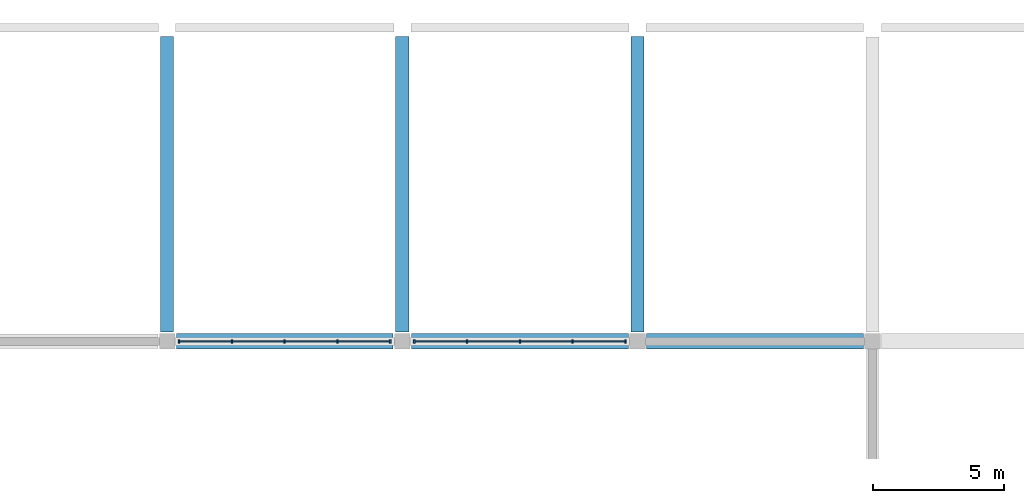
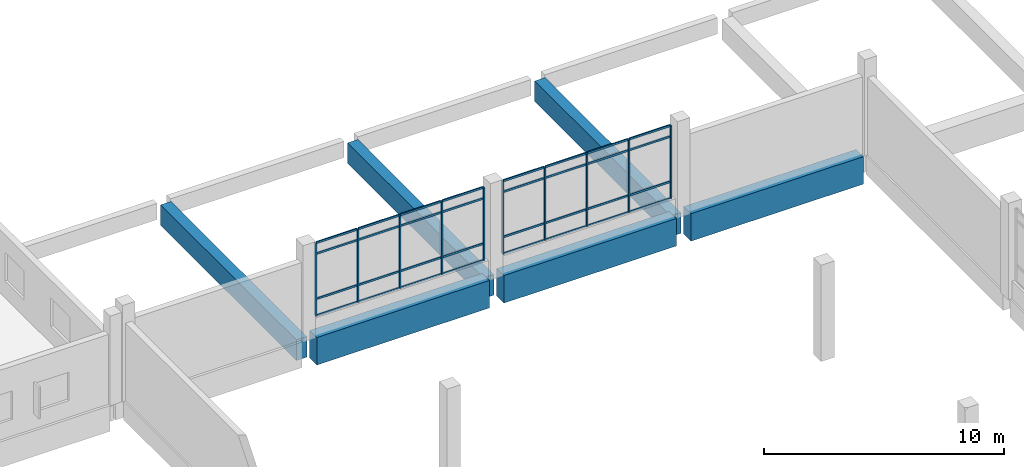
# One storey, part 26 of 63: 42 members, 6 beams, 2 elements without a shape of their own.
"""IFC4 building model written with IfcOpenShell, lengths in metres."""

from ifc_helpers import new_model, si_unit, direction, frame, origin, origin_2d, place, context, subcontext, project, spatial, rectangle, extrude, material, layer, layer_set, material_profile, profile_set, type_object, element, aggregate, save


model = new_model("IFC4")

# Units and contexts
model_context = context("Model", 3, precision=1e-05, world=origin(), true_north=direction((0.0, 1.0)))
body_context = subcontext(model_context, "Body", "Model", "MODEL_VIEW")
ifc_project = project(units=[si_unit("LENGTHUNIT", "METRE"), si_unit("AREAUNIT", "SQUARE_METRE"), si_unit("VOLUMEUNIT", "CUBIC_METRE"), si_unit("PLANEANGLEUNIT", "RADIAN"), si_unit("MASSUNIT", "GRAM", prefix="KILO")], contexts=[model_context])

# Site, building, storey
site_placement = place(None, origin())
site = spatial("IfcSite", under=ifc_project, at=site_placement, CompositionType="ELEMENT")
building_placement = place(site_placement, origin())
building = spatial("IfcBuilding", under=site, at=building_placement, Name="Zacnel Wholesale Market", CompositionType="ELEMENT")
storey_placement = place(building_placement, frame((0.0, 0.0, 11.199951171875)))
storey = spatial("IfcBuildingStorey", under=building, at=storey_placement, Name="L03", CompositionType="ELEMENT", Elevation=11.199951171875)

# Beams
ifc_material_1 = material(Name="Precast concrete C45/55", Category="concrete")
ifc_material_profile_1 = material_profile(ifc_material_1, rectangle(XDim=0.5, YDim=1.050048828125, at=origin_2d()), Name="PG 500x1050")
ifc_profile_set_1 = profile_set([ifc_material_profile_1], Name="Precast concrete C45/55")
beam_type_1 = type_object("IfcBeamType", Name="BM-PG1050", PredefinedType="T_BEAM", material=ifc_profile_set_1)
for number, where, z_axis, x_axis, name in (
    (1, (153.0, 132.35009765625, -0.824951171875), (0.0, 1.0, 0.0), (-1.0, 0.0, 0.0), "Precast girder Y-0939"),
    (2, (162.0, 132.35009765625, -0.824951171875), (0.0, 1.0, 0.0), (-1.0, 0.0, 0.0), "Precast girder Y-0946"),
    (3, (171.0, 132.35009765625, -0.824951171875), (0.0, 1.0, 0.0), (-1.0, 0.0, 0.0), "Precast girder Y-0953"),
):
    element("IfcBeam", number, at=place(storey_placement, frame(where, z_axis=z_axis, x_axis=x_axis)), inside=storey, type_object=beam_type_1, Name=name, PredefinedType="T_BEAM", context=body_context, shape_type="SweptSolid", body=[
        extrude(rectangle(XDim=0.5, YDim=1.050048828125, at=origin_2d()), origin(), (0.0, 0.0, 1.0), 11.324951171875),
    ])
ifc_material_2 = material(Name="Concrete C40/50", Category="concrete")
ifc_material_profile_2 = material_profile(ifc_material_2, rectangle(XDim=0.60009765625, YDim=1.39990234375, at=origin_2d()), Name="PTB 600x1400")
ifc_profile_set_2 = profile_set([ifc_material_profile_2], Name="Concrete C40/50")
beam_type_2 = type_object("IfcBeamType", Name="BM-PTB1400", PredefinedType="BEAM", material=ifc_profile_set_2)
for number, where, z_axis, x_axis, name in (
    (4, (153.35009765625, 132.0, -0.699951171875), (1.0, 0.0, 0.0), (0.0, 1.0, 0.0), "Precast girder X-0776"),
    (5, (162.35009765625, 132.0, -0.699951171875), (1.0, 0.0, 0.0), (0.0, 1.0, 0.0), "Precast girder X-0777"),
    (6, (171.35009765625, 132.0, -0.699951171875), (1.0, 0.0, 0.0), (0.0, 1.0, 0.0), "Precast girder X-0778"),
):
    element("IfcBeam", number, at=place(storey_placement, frame(where, z_axis=z_axis, x_axis=x_axis)), inside=storey, type_object=beam_type_2, Name=name, PredefinedType="BEAM", context=body_context, shape_type="SweptSolid", body=[
        extrude(rectangle(XDim=0.60009765625, YDim=1.39990234375, at=origin_2d()), origin(), (0.0, 0.0, 1.0), 8.2998046875),
    ])

# Curtain wall, members
ifc_material_3 = material(Name="Anodised aluminium", Category="aluminium")
ifc_layer = layer(ifc_material_3, 0.14990234375)
ifc_layer_set = layer_set([ifc_layer], Name="Anodised aluminium")
curtain_wall_type = type_object("IfcCurtainWallType", Name="CW-CLER-3600", PredefinedType="NOTDEFINED", material=ifc_layer_set)
curtain_wall_1_placement = place(storey_placement, origin())
curtain_wall_1 = element("IfcCurtainWall", 7, at=curtain_wall_1_placement, inside=storey, type_object=curtain_wall_type, Name="Curtain wall ENV-CW-XDRUM-N-2", PredefinedType="NOTDEFINED")
ifc_material_4 = material(Name="Anodised aluminium", Category="aluminium")
ifc_material_profile_3 = material_profile(ifc_material_4, rectangle(XDim=0.06005859375, YDim=0.1298828125, at=origin_2d()), Name="AW-MULLION 60x130")
ifc_profile_set_3 = profile_set([ifc_material_profile_3], Name="Anodised aluminium")
member_type_1 = type_object("IfcMemberType", Name="CWM-MUL-06", PredefinedType="MULLION", material=ifc_profile_set_3)
member_1_placement = place(storey_placement, frame((153.4599609375, 132.0, 0.900146484375), z_axis=(0.0, 0.0, 1.0), x_axis=(1.0, 0.0, 0.0)))
member_1 = element("IfcMember", 8, at=member_1_placement, type_object=member_type_1, Name="ENV-CW-XDRUM-N-2 mullion 01", PredefinedType="MULLION", context=body_context, shape_type="SweptSolid", body=[
    extrude(rectangle(XDim=0.06005859375, YDim=0.1298828125, at=origin_2d()), origin(), (0.0, 0.0, 1.0), 3.699951171875),
])
member_2_placement = place(storey_placement, frame((155.47998046875, 132.0, 0.900146484375), z_axis=(0.0, 0.0, 1.0), x_axis=(1.0, 0.0, 0.0)))
member_2 = element("IfcMember", 9, at=member_2_placement, type_object=member_type_1, Name="ENV-CW-XDRUM-N-2 mullion 02", PredefinedType="MULLION", context=body_context, shape_type="SweptSolid", body=[
    extrude(rectangle(XDim=0.06005859375, YDim=0.1298828125, at=origin_2d()), origin(), (0.0, 0.0, 1.0), 3.699951171875),
])
member_3_placement = place(storey_placement, frame((157.5, 132.0, 0.900146484375), z_axis=(0.0, 0.0, 1.0), x_axis=(1.0, 0.0, 0.0)))
member_3 = element("IfcMember", 10, at=member_3_placement, type_object=member_type_1, Name="ENV-CW-XDRUM-N-2 mullion 03", PredefinedType="MULLION", context=body_context, shape_type="SweptSolid", body=[
    extrude(rectangle(XDim=0.06005859375, YDim=0.1298828125, at=origin_2d()), origin(), (0.0, 0.0, 1.0), 3.699951171875),
])
member_4_placement = place(storey_placement, frame((159.52001953125, 132.0, 0.900146484375), z_axis=(0.0, 0.0, 1.0), x_axis=(1.0, 0.0, 0.0)))
member_4 = element("IfcMember", 11, at=member_4_placement, type_object=member_type_1, Name="ENV-CW-XDRUM-N-2 mullion 04", PredefinedType="MULLION", context=body_context, shape_type="SweptSolid", body=[
    extrude(rectangle(XDim=0.06005859375, YDim=0.1298828125, at=origin_2d()), origin(), (0.0, 0.0, 1.0), 3.699951171875),
])
member_5_placement = place(storey_placement, frame((161.5400390625, 132.0, 0.900146484375), z_axis=(0.0, 0.0, 1.0), x_axis=(1.0, 0.0, 0.0)))
member_5 = element("IfcMember", 12, at=member_5_placement, type_object=member_type_1, Name="ENV-CW-XDRUM-N-2 mullion 05", PredefinedType="MULLION", context=body_context, shape_type="SweptSolid", body=[
    extrude(rectangle(XDim=0.06005859375, YDim=0.1298828125, at=origin_2d()), origin(), (0.0, 0.0, 1.0), 3.699951171875),
])

curtain_wall_2_placement = place(storey_placement, origin())
curtain_wall_2 = element("IfcCurtainWall", 13, at=curtain_wall_2_placement, inside=storey, type_object=curtain_wall_type, Name="Curtain wall ENV-CW-XDRUM-N-3", PredefinedType="NOTDEFINED")
member_6_placement = place(storey_placement, frame((162.4599609375, 132.0, 0.900146484375), z_axis=(0.0, 0.0, 1.0), x_axis=(1.0, 0.0, 0.0)))
member_6 = element("IfcMember", 14, at=member_6_placement, type_object=member_type_1, Name="ENV-CW-XDRUM-N-3 mullion 01", PredefinedType="MULLION", context=body_context, shape_type="SweptSolid", body=[
    extrude(rectangle(XDim=0.06005859375, YDim=0.1298828125, at=origin_2d()), origin(), (0.0, 0.0, 1.0), 3.699951171875),
])
member_7_placement = place(storey_placement, frame((164.47998046875, 132.0, 0.900146484375), z_axis=(0.0, 0.0, 1.0), x_axis=(1.0, 0.0, 0.0)))
member_7 = element("IfcMember", 15, at=member_7_placement, type_object=member_type_1, Name="ENV-CW-XDRUM-N-3 mullion 02", PredefinedType="MULLION", context=body_context, shape_type="SweptSolid", body=[
    extrude(rectangle(XDim=0.06005859375, YDim=0.1298828125, at=origin_2d()), origin(), (0.0, 0.0, 1.0), 3.699951171875),
])
member_8_placement = place(storey_placement, frame((166.5, 132.0, 0.900146484375), z_axis=(0.0, 0.0, 1.0), x_axis=(1.0, 0.0, 0.0)))
member_8 = element("IfcMember", 16, at=member_8_placement, type_object=member_type_1, Name="ENV-CW-XDRUM-N-3 mullion 03", PredefinedType="MULLION", context=body_context, shape_type="SweptSolid", body=[
    extrude(rectangle(XDim=0.06005859375, YDim=0.1298828125, at=origin_2d()), origin(), (0.0, 0.0, 1.0), 3.699951171875),
])
member_9_placement = place(storey_placement, frame((168.52001953125, 132.0, 0.900146484375), z_axis=(0.0, 0.0, 1.0), x_axis=(1.0, 0.0, 0.0)))
member_9 = element("IfcMember", 17, at=member_9_placement, type_object=member_type_1, Name="ENV-CW-XDRUM-N-3 mullion 04", PredefinedType="MULLION", context=body_context, shape_type="SweptSolid", body=[
    extrude(rectangle(XDim=0.06005859375, YDim=0.1298828125, at=origin_2d()), origin(), (0.0, 0.0, 1.0), 3.699951171875),
])
member_10_placement = place(storey_placement, frame((170.5400390625, 132.0, 0.900146484375), z_axis=(0.0, 0.0, 1.0), x_axis=(1.0, 0.0, 0.0)))
member_10 = element("IfcMember", 18, at=member_10_placement, type_object=member_type_1, Name="ENV-CW-XDRUM-N-3 mullion 05", PredefinedType="MULLION", context=body_context, shape_type="SweptSolid", body=[
    extrude(rectangle(XDim=0.06005859375, YDim=0.1298828125, at=origin_2d()), origin(), (0.0, 0.0, 1.0), 3.699951171875),
])

# Member
ifc_material_5 = material(Name="Anodised aluminium", Category="aluminium")
ifc_material_profile_4 = material_profile(ifc_material_5, rectangle(XDim=0.06005859375, YDim=0.10009765625, at=origin_2d()), Name="AW-TRANSOM 60x100")
ifc_profile_set_4 = profile_set([ifc_material_profile_4], Name="Anodised aluminium")
member_type_2 = type_object("IfcMemberType", Name="CWM-TRN-06", PredefinedType="USERDEFINED", material=ifc_profile_set_4)
member_11_placement = place(storey_placement, frame((153.4951171875, 132.0, 0.900146484375), z_axis=(1.0, 0.0, 0.0), x_axis=(0.0, 1.0, 0.0)))
member_11 = element("IfcMember", 19, at=member_11_placement, type_object=member_type_2, Name="ENV-CW-XDRUM-N-2 transom 1-1", ObjectType="TRANSOM", PredefinedType="USERDEFINED", context=body_context, shape_type="SweptSolid", body=[
    extrude(rectangle(XDim=0.06005859375, YDim=0.10009765625, at=origin_2d()), origin(), (0.0, 0.0, 1.0), 1.949951171875),
])

member_12_placement = place(storey_placement, frame((153.4951171875, 132.0, 1.75), z_axis=(1.0, 0.0, 0.0), x_axis=(0.0, 1.0, 0.0)))
member_12 = element("IfcMember", 20, at=member_12_placement, type_object=member_type_2, Name="ENV-CW-XDRUM-N-2 transom 1-2", ObjectType="TRANSOM", PredefinedType="USERDEFINED", context=body_context, shape_type="SweptSolid", body=[
    extrude(rectangle(XDim=0.06005859375, YDim=0.10009765625, at=origin_2d()), origin(), (0.0, 0.0, 1.0), 1.949951171875),
])

member_13_placement = place(storey_placement, frame((153.4951171875, 132.0, 4.050048828125), z_axis=(1.0, 0.0, 0.0), x_axis=(0.0, 1.0, 0.0)))
member_13 = element("IfcMember", 21, at=member_13_placement, type_object=member_type_2, Name="ENV-CW-XDRUM-N-2 transom 1-3", ObjectType="TRANSOM", PredefinedType="USERDEFINED", context=body_context, shape_type="SweptSolid", body=[
    extrude(rectangle(XDim=0.06005859375, YDim=0.10009765625, at=origin_2d()), origin(), (0.0, 0.0, 1.0), 1.949951171875),
])

member_14_placement = place(storey_placement, frame((153.4951171875, 132.0, 4.60009765625), z_axis=(1.0, 0.0, 0.0), x_axis=(0.0, 1.0, 0.0)))
member_14 = element("IfcMember", 22, at=member_14_placement, type_object=member_type_2, Name="ENV-CW-XDRUM-N-2 transom 1-4", ObjectType="TRANSOM", PredefinedType="USERDEFINED", context=body_context, shape_type="SweptSolid", body=[
    extrude(rectangle(XDim=0.06005859375, YDim=0.10009765625, at=origin_2d()), origin(), (0.0, 0.0, 1.0), 1.949951171875),
])

member_15_placement = place(storey_placement, frame((155.514892578125, 132.0, 0.900146484375), z_axis=(1.0, 0.0, 0.0), x_axis=(0.0, 1.0, 0.0)))
member_15 = element("IfcMember", 23, at=member_15_placement, type_object=member_type_2, Name="ENV-CW-XDRUM-N-2 transom 2-1", ObjectType="TRANSOM", PredefinedType="USERDEFINED", context=body_context, shape_type="SweptSolid", body=[
    extrude(rectangle(XDim=0.06005859375, YDim=0.10009765625, at=origin_2d()), origin(), (0.0, 0.0, 1.0), 1.9501953125),
])

member_16_placement = place(storey_placement, frame((155.514892578125, 132.0, 1.75), z_axis=(1.0, 0.0, 0.0), x_axis=(0.0, 1.0, 0.0)))
member_16 = element("IfcMember", 24, at=member_16_placement, type_object=member_type_2, Name="ENV-CW-XDRUM-N-2 transom 2-2", ObjectType="TRANSOM", PredefinedType="USERDEFINED", context=body_context, shape_type="SweptSolid", body=[
    extrude(rectangle(XDim=0.06005859375, YDim=0.10009765625, at=origin_2d()), origin(), (0.0, 0.0, 1.0), 1.9501953125),
])

member_17_placement = place(storey_placement, frame((155.514892578125, 132.0, 4.050048828125), z_axis=(1.0, 0.0, 0.0), x_axis=(0.0, 1.0, 0.0)))
member_17 = element("IfcMember", 25, at=member_17_placement, type_object=member_type_2, Name="ENV-CW-XDRUM-N-2 transom 2-3", ObjectType="TRANSOM", PredefinedType="USERDEFINED", context=body_context, shape_type="SweptSolid", body=[
    extrude(rectangle(XDim=0.06005859375, YDim=0.10009765625, at=origin_2d()), origin(), (0.0, 0.0, 1.0), 1.9501953125),
])

member_18_placement = place(storey_placement, frame((155.514892578125, 132.0, 4.60009765625), z_axis=(1.0, 0.0, 0.0), x_axis=(0.0, 1.0, 0.0)))
member_18 = element("IfcMember", 26, at=member_18_placement, type_object=member_type_2, Name="ENV-CW-XDRUM-N-2 transom 2-4", ObjectType="TRANSOM", PredefinedType="USERDEFINED", context=body_context, shape_type="SweptSolid", body=[
    extrude(rectangle(XDim=0.06005859375, YDim=0.10009765625, at=origin_2d()), origin(), (0.0, 0.0, 1.0), 1.9501953125),
])

member_19_placement = place(storey_placement, frame((157.534912109375, 132.0, 0.900146484375), z_axis=(1.0, 0.0, 0.0), x_axis=(0.0, 1.0, 0.0)))
member_19 = element("IfcMember", 27, at=member_19_placement, type_object=member_type_2, Name="ENV-CW-XDRUM-N-2 transom 3-1", ObjectType="TRANSOM", PredefinedType="USERDEFINED", context=body_context, shape_type="SweptSolid", body=[
    extrude(rectangle(XDim=0.06005859375, YDim=0.10009765625, at=origin_2d()), origin(), (0.0, 0.0, 1.0), 1.9501953125),
])

member_20_placement = place(storey_placement, frame((157.534912109375, 132.0, 1.75), z_axis=(1.0, 0.0, 0.0), x_axis=(0.0, 1.0, 0.0)))
member_20 = element("IfcMember", 28, at=member_20_placement, type_object=member_type_2, Name="ENV-CW-XDRUM-N-2 transom 3-2", ObjectType="TRANSOM", PredefinedType="USERDEFINED", context=body_context, shape_type="SweptSolid", body=[
    extrude(rectangle(XDim=0.06005859375, YDim=0.10009765625, at=origin_2d()), origin(), (0.0, 0.0, 1.0), 1.9501953125),
])

member_21_placement = place(storey_placement, frame((157.534912109375, 132.0, 4.050048828125), z_axis=(1.0, 0.0, 0.0), x_axis=(0.0, 1.0, 0.0)))
member_21 = element("IfcMember", 29, at=member_21_placement, type_object=member_type_2, Name="ENV-CW-XDRUM-N-2 transom 3-3", ObjectType="TRANSOM", PredefinedType="USERDEFINED", context=body_context, shape_type="SweptSolid", body=[
    extrude(rectangle(XDim=0.06005859375, YDim=0.10009765625, at=origin_2d()), origin(), (0.0, 0.0, 1.0), 1.9501953125),
])

member_22_placement = place(storey_placement, frame((157.534912109375, 132.0, 4.60009765625), z_axis=(1.0, 0.0, 0.0), x_axis=(0.0, 1.0, 0.0)))
member_22 = element("IfcMember", 30, at=member_22_placement, type_object=member_type_2, Name="ENV-CW-XDRUM-N-2 transom 3-4", ObjectType="TRANSOM", PredefinedType="USERDEFINED", context=body_context, shape_type="SweptSolid", body=[
    extrude(rectangle(XDim=0.06005859375, YDim=0.10009765625, at=origin_2d()), origin(), (0.0, 0.0, 1.0), 1.9501953125),
])

member_23_placement = place(storey_placement, frame((159.554931640625, 132.0, 0.900146484375), z_axis=(1.0, 0.0, 0.0), x_axis=(0.0, 1.0, 0.0)))
member_23 = element("IfcMember", 31, at=member_23_placement, type_object=member_type_2, Name="ENV-CW-XDRUM-N-2 transom 4-1", ObjectType="TRANSOM", PredefinedType="USERDEFINED", context=body_context, shape_type="SweptSolid", body=[
    extrude(rectangle(XDim=0.06005859375, YDim=0.10009765625, at=origin_2d()), origin(), (0.0, 0.0, 1.0), 1.949951171875),
])

member_24_placement = place(storey_placement, frame((159.554931640625, 132.0, 1.75), z_axis=(1.0, 0.0, 0.0), x_axis=(0.0, 1.0, 0.0)))
member_24 = element("IfcMember", 32, at=member_24_placement, type_object=member_type_2, Name="ENV-CW-XDRUM-N-2 transom 4-2", ObjectType="TRANSOM", PredefinedType="USERDEFINED", context=body_context, shape_type="SweptSolid", body=[
    extrude(rectangle(XDim=0.06005859375, YDim=0.10009765625, at=origin_2d()), origin(), (0.0, 0.0, 1.0), 1.949951171875),
])

member_25_placement = place(storey_placement, frame((159.554931640625, 132.0, 4.050048828125), z_axis=(1.0, 0.0, 0.0), x_axis=(0.0, 1.0, 0.0)))
member_25 = element("IfcMember", 33, at=member_25_placement, type_object=member_type_2, Name="ENV-CW-XDRUM-N-2 transom 4-3", ObjectType="TRANSOM", PredefinedType="USERDEFINED", context=body_context, shape_type="SweptSolid", body=[
    extrude(rectangle(XDim=0.06005859375, YDim=0.10009765625, at=origin_2d()), origin(), (0.0, 0.0, 1.0), 1.949951171875),
])

member_26_placement = place(storey_placement, frame((159.554931640625, 132.0, 4.60009765625), z_axis=(1.0, 0.0, 0.0), x_axis=(0.0, 1.0, 0.0)))
member_26 = element("IfcMember", 34, at=member_26_placement, type_object=member_type_2, Name="ENV-CW-XDRUM-N-2 transom 4-4", ObjectType="TRANSOM", PredefinedType="USERDEFINED", context=body_context, shape_type="SweptSolid", body=[
    extrude(rectangle(XDim=0.06005859375, YDim=0.10009765625, at=origin_2d()), origin(), (0.0, 0.0, 1.0), 1.949951171875),
])

aggregate(curtain_wall_1, [member_1, member_2, member_3, member_4, member_5, member_11, member_12, member_13, member_14, member_15, member_16, member_17, member_18, member_19, member_20, member_21, member_22, member_23, member_24, member_25, member_26])

member_27_placement = place(storey_placement, frame((162.4951171875, 132.0, 0.900146484375), z_axis=(1.0, 0.0, 0.0), x_axis=(0.0, 1.0, 0.0)))
member_27 = element("IfcMember", 35, at=member_27_placement, type_object=member_type_2, Name="ENV-CW-XDRUM-N-3 transom 1-1", ObjectType="TRANSOM", PredefinedType="USERDEFINED", context=body_context, shape_type="SweptSolid", body=[
    extrude(rectangle(XDim=0.06005859375, YDim=0.10009765625, at=origin_2d()), origin(), (0.0, 0.0, 1.0), 1.949951171875),
])

member_28_placement = place(storey_placement, frame((162.4951171875, 132.0, 1.75), z_axis=(1.0, 0.0, 0.0), x_axis=(0.0, 1.0, 0.0)))
member_28 = element("IfcMember", 36, at=member_28_placement, type_object=member_type_2, Name="ENV-CW-XDRUM-N-3 transom 1-2", ObjectType="TRANSOM", PredefinedType="USERDEFINED", context=body_context, shape_type="SweptSolid", body=[
    extrude(rectangle(XDim=0.06005859375, YDim=0.10009765625, at=origin_2d()), origin(), (0.0, 0.0, 1.0), 1.949951171875),
])

member_29_placement = place(storey_placement, frame((162.4951171875, 132.0, 4.050048828125), z_axis=(1.0, 0.0, 0.0), x_axis=(0.0, 1.0, 0.0)))
member_29 = element("IfcMember", 37, at=member_29_placement, type_object=member_type_2, Name="ENV-CW-XDRUM-N-3 transom 1-3", ObjectType="TRANSOM", PredefinedType="USERDEFINED", context=body_context, shape_type="SweptSolid", body=[
    extrude(rectangle(XDim=0.06005859375, YDim=0.10009765625, at=origin_2d()), origin(), (0.0, 0.0, 1.0), 1.949951171875),
])

member_30_placement = place(storey_placement, frame((162.4951171875, 132.0, 4.60009765625), z_axis=(1.0, 0.0, 0.0), x_axis=(0.0, 1.0, 0.0)))
member_30 = element("IfcMember", 38, at=member_30_placement, type_object=member_type_2, Name="ENV-CW-XDRUM-N-3 transom 1-4", ObjectType="TRANSOM", PredefinedType="USERDEFINED", context=body_context, shape_type="SweptSolid", body=[
    extrude(rectangle(XDim=0.06005859375, YDim=0.10009765625, at=origin_2d()), origin(), (0.0, 0.0, 1.0), 1.949951171875),
])

member_31_placement = place(storey_placement, frame((164.514892578125, 132.0, 0.900146484375), z_axis=(1.0, 0.0, 0.0), x_axis=(0.0, 1.0, 0.0)))
member_31 = element("IfcMember", 39, at=member_31_placement, type_object=member_type_2, Name="ENV-CW-XDRUM-N-3 transom 2-1", ObjectType="TRANSOM", PredefinedType="USERDEFINED", context=body_context, shape_type="SweptSolid", body=[
    extrude(rectangle(XDim=0.06005859375, YDim=0.10009765625, at=origin_2d()), origin(), (0.0, 0.0, 1.0), 1.9501953125),
])

member_32_placement = place(storey_placement, frame((164.514892578125, 132.0, 1.75), z_axis=(1.0, 0.0, 0.0), x_axis=(0.0, 1.0, 0.0)))
member_32 = element("IfcMember", 40, at=member_32_placement, type_object=member_type_2, Name="ENV-CW-XDRUM-N-3 transom 2-2", ObjectType="TRANSOM", PredefinedType="USERDEFINED", context=body_context, shape_type="SweptSolid", body=[
    extrude(rectangle(XDim=0.06005859375, YDim=0.10009765625, at=origin_2d()), origin(), (0.0, 0.0, 1.0), 1.9501953125),
])

member_33_placement = place(storey_placement, frame((164.514892578125, 132.0, 4.050048828125), z_axis=(1.0, 0.0, 0.0), x_axis=(0.0, 1.0, 0.0)))
member_33 = element("IfcMember", 41, at=member_33_placement, type_object=member_type_2, Name="ENV-CW-XDRUM-N-3 transom 2-3", ObjectType="TRANSOM", PredefinedType="USERDEFINED", context=body_context, shape_type="SweptSolid", body=[
    extrude(rectangle(XDim=0.06005859375, YDim=0.10009765625, at=origin_2d()), origin(), (0.0, 0.0, 1.0), 1.9501953125),
])

member_34_placement = place(storey_placement, frame((164.514892578125, 132.0, 4.60009765625), z_axis=(1.0, 0.0, 0.0), x_axis=(0.0, 1.0, 0.0)))
member_34 = element("IfcMember", 42, at=member_34_placement, type_object=member_type_2, Name="ENV-CW-XDRUM-N-3 transom 2-4", ObjectType="TRANSOM", PredefinedType="USERDEFINED", context=body_context, shape_type="SweptSolid", body=[
    extrude(rectangle(XDim=0.06005859375, YDim=0.10009765625, at=origin_2d()), origin(), (0.0, 0.0, 1.0), 1.9501953125),
])

member_35_placement = place(storey_placement, frame((166.534912109375, 132.0, 0.900146484375), z_axis=(1.0, 0.0, 0.0), x_axis=(0.0, 1.0, 0.0)))
member_35 = element("IfcMember", 43, at=member_35_placement, type_object=member_type_2, Name="ENV-CW-XDRUM-N-3 transom 3-1", ObjectType="TRANSOM", PredefinedType="USERDEFINED", context=body_context, shape_type="SweptSolid", body=[
    extrude(rectangle(XDim=0.06005859375, YDim=0.10009765625, at=origin_2d()), origin(), (0.0, 0.0, 1.0), 1.9501953125),
])

member_36_placement = place(storey_placement, frame((166.534912109375, 132.0, 1.75), z_axis=(1.0, 0.0, 0.0), x_axis=(0.0, 1.0, 0.0)))
member_36 = element("IfcMember", 44, at=member_36_placement, type_object=member_type_2, Name="ENV-CW-XDRUM-N-3 transom 3-2", ObjectType="TRANSOM", PredefinedType="USERDEFINED", context=body_context, shape_type="SweptSolid", body=[
    extrude(rectangle(XDim=0.06005859375, YDim=0.10009765625, at=origin_2d()), origin(), (0.0, 0.0, 1.0), 1.9501953125),
])

member_37_placement = place(storey_placement, frame((166.534912109375, 132.0, 4.050048828125), z_axis=(1.0, 0.0, 0.0), x_axis=(0.0, 1.0, 0.0)))
member_37 = element("IfcMember", 45, at=member_37_placement, type_object=member_type_2, Name="ENV-CW-XDRUM-N-3 transom 3-3", ObjectType="TRANSOM", PredefinedType="USERDEFINED", context=body_context, shape_type="SweptSolid", body=[
    extrude(rectangle(XDim=0.06005859375, YDim=0.10009765625, at=origin_2d()), origin(), (0.0, 0.0, 1.0), 1.9501953125),
])

member_38_placement = place(storey_placement, frame((166.534912109375, 132.0, 4.60009765625), z_axis=(1.0, 0.0, 0.0), x_axis=(0.0, 1.0, 0.0)))
member_38 = element("IfcMember", 46, at=member_38_placement, type_object=member_type_2, Name="ENV-CW-XDRUM-N-3 transom 3-4", ObjectType="TRANSOM", PredefinedType="USERDEFINED", context=body_context, shape_type="SweptSolid", body=[
    extrude(rectangle(XDim=0.06005859375, YDim=0.10009765625, at=origin_2d()), origin(), (0.0, 0.0, 1.0), 1.9501953125),
])

member_39_placement = place(storey_placement, frame((168.554931640625, 132.0, 0.900146484375), z_axis=(1.0, 0.0, 0.0), x_axis=(0.0, 1.0, 0.0)))
member_39 = element("IfcMember", 47, at=member_39_placement, type_object=member_type_2, Name="ENV-CW-XDRUM-N-3 transom 4-1", ObjectType="TRANSOM", PredefinedType="USERDEFINED", context=body_context, shape_type="SweptSolid", body=[
    extrude(rectangle(XDim=0.06005859375, YDim=0.10009765625, at=origin_2d()), origin(), (0.0, 0.0, 1.0), 1.949951171875),
])

member_40_placement = place(storey_placement, frame((168.554931640625, 132.0, 1.75), z_axis=(1.0, 0.0, 0.0), x_axis=(0.0, 1.0, 0.0)))
member_40 = element("IfcMember", 48, at=member_40_placement, type_object=member_type_2, Name="ENV-CW-XDRUM-N-3 transom 4-2", ObjectType="TRANSOM", PredefinedType="USERDEFINED", context=body_context, shape_type="SweptSolid", body=[
    extrude(rectangle(XDim=0.06005859375, YDim=0.10009765625, at=origin_2d()), origin(), (0.0, 0.0, 1.0), 1.949951171875),
])

member_41_placement = place(storey_placement, frame((168.554931640625, 132.0, 4.050048828125), z_axis=(1.0, 0.0, 0.0), x_axis=(0.0, 1.0, 0.0)))
member_41 = element("IfcMember", 49, at=member_41_placement, type_object=member_type_2, Name="ENV-CW-XDRUM-N-3 transom 4-3", ObjectType="TRANSOM", PredefinedType="USERDEFINED", context=body_context, shape_type="SweptSolid", body=[
    extrude(rectangle(XDim=0.06005859375, YDim=0.10009765625, at=origin_2d()), origin(), (0.0, 0.0, 1.0), 1.949951171875),
])

member_42_placement = place(storey_placement, frame((168.554931640625, 132.0, 4.60009765625), z_axis=(1.0, 0.0, 0.0), x_axis=(0.0, 1.0, 0.0)))
member_42 = element("IfcMember", 50, at=member_42_placement, type_object=member_type_2, Name="ENV-CW-XDRUM-N-3 transom 4-4", ObjectType="TRANSOM", PredefinedType="USERDEFINED", context=body_context, shape_type="SweptSolid", body=[
    extrude(rectangle(XDim=0.06005859375, YDim=0.10009765625, at=origin_2d()), origin(), (0.0, 0.0, 1.0), 1.949951171875),
])

aggregate(curtain_wall_2, [member_6, member_7, member_8, member_9, member_10, member_27, member_28, member_29, member_30, member_31, member_32, member_33, member_34, member_35, member_36, member_37, member_38, member_39, member_40, member_41, member_42])

save(model, "model.ifc")
